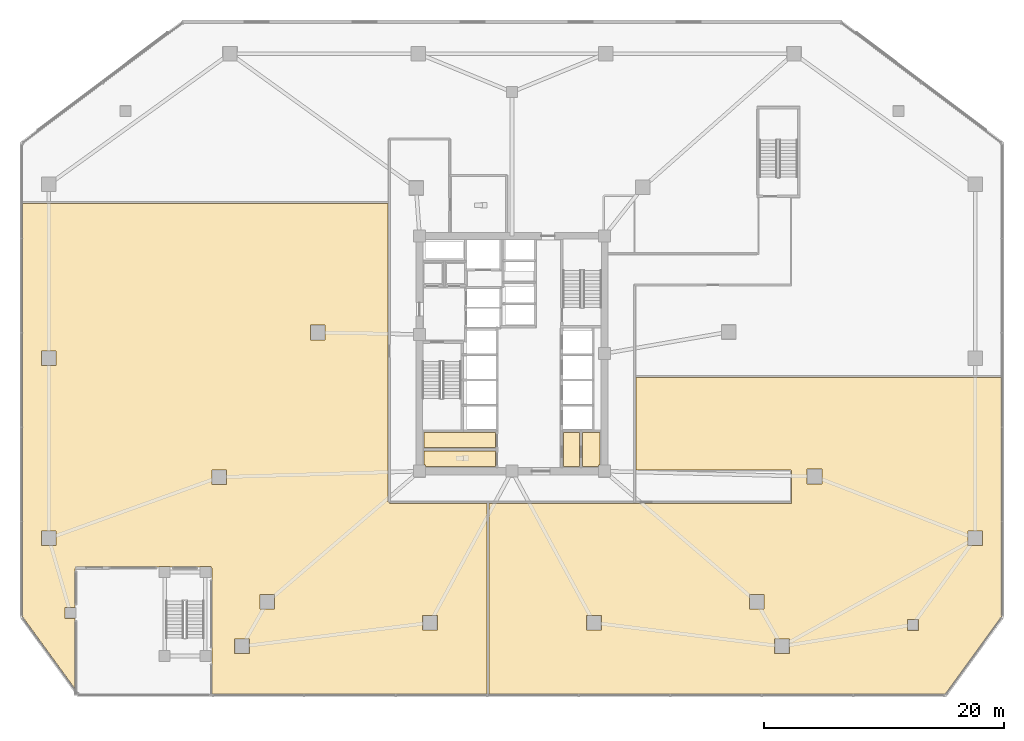
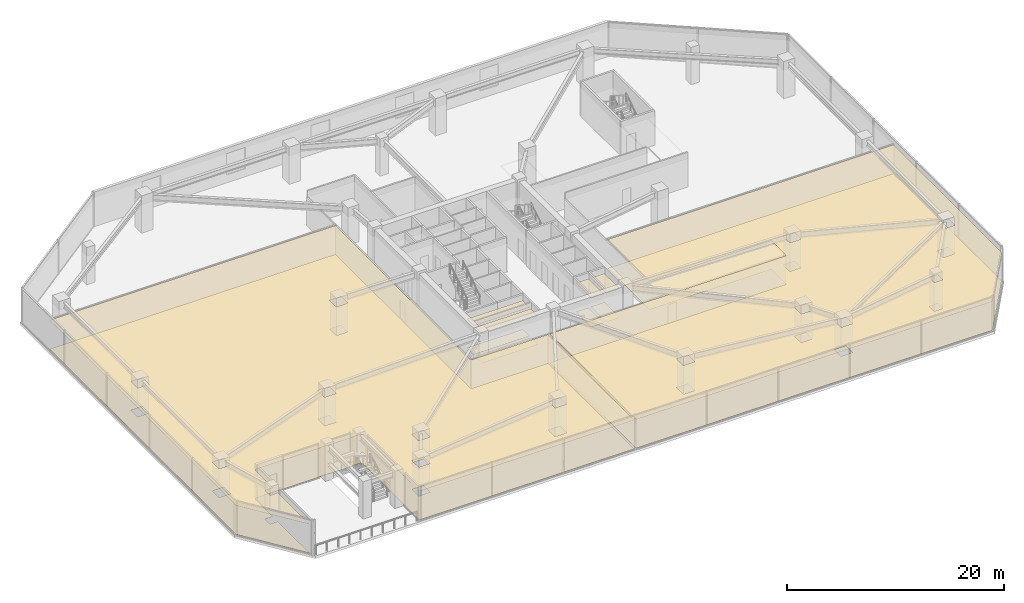
# One storey, part 15 of 21: 12 coverings.
"""IFC4 building model written with IfcOpenShell, lengths in metres."""

from ifc_helpers import new_model, si_unit, direction, frame, origin, place, context, subcontext, project, spatial, polyline, outline, extrude, material, layer, layer_set, type_object, element, save


model = new_model("IFC4")

# Units and contexts
model_context = context("Model", 3, precision=1e-05, world=origin(), true_north=direction((0.0, 1.0)))
body_context = subcontext(model_context, "Body", "Model", "MODEL_VIEW")
ifc_project = project(units=[si_unit("LENGTHUNIT", "METRE"), si_unit("AREAUNIT", "SQUARE_METRE"), si_unit("VOLUMEUNIT", "CUBIC_METRE"), si_unit("PLANEANGLEUNIT", "RADIAN"), si_unit("MASSUNIT", "GRAM", prefix="KILO")], contexts=[model_context])

# Site, building, storey
site_placement = place(None, origin())
site = spatial("IfcSite", under=ifc_project, at=site_placement, CompositionType="ELEMENT")
building_placement = place(site_placement, origin())
building = spatial("IfcBuilding", under=site, at=building_placement, Name="Savorim Split Tower", CompositionType="ELEMENT")
storey_placement = place(building_placement, frame((0.0, 0.0, 9.199951171875)))
storey = spatial("IfcBuildingStorey", under=building, at=storey_placement, Name="L02", CompositionType="ELEMENT", Elevation=9.199951171875)

# Coverings
ifc_material_1 = material(Name="Mineral Fibre Acoustic Ceiling")
ifc_layer_1 = layer(ifc_material_1, 0.02490234375)
ifc_layer_set_1 = layer_set([ifc_layer_1], Name="COV-CEIL-25")
covering_type_1 = type_object("IfcCoveringType", Name="COV-CEIL-25", PredefinedType="CEILING", material=ifc_layer_set_1)
covering_1_placement = place(storey_placement, frame((0.0, 0.0, 3.239990234375)))
element("IfcCovering", 1, at=covering_1_placement, inside=storey, type_object=covering_type_1, Name="L02 Cleaning Store Acoustic Ceiling", PredefinedType="CEILING", context=body_context, shape_type="SweptSolid", body=[
    extrude(outline(polyline([(-7.320068359375, -6.179931640625), (-7.320068359375, -7.43994140625), (-1.3798828125, -7.43994140625), (-1.3798828125, -6.179931640625), (-7.320068359375, -6.179931640625)])), origin(), (0.0, 0.0, 1.0), 0.025146484375),
])
covering_2_placement = place(storey_placement, frame((0.0, 0.0, 3.239990234375)))
element("IfcCovering", 2, at=covering_2_placement, inside=storey, type_object=covering_type_1, Name="L02 Public WC Acoustic Ceiling", PredefinedType="CEILING", context=body_context, shape_type="SweptSolid", body=[
    extrude(outline(polyline([(-1.3798828125, -7.719970703125), (-7.320068359375, -7.719970703125), (-7.320068359375, -8.889892578125), (-7.18994140625, -8.889892578125), (-7.18994140625, -9.02001953125), (-1.3798828125, -9.02001953125), (-1.3798828125, -7.719970703125)])), origin(), (0.0, 0.0, 1.0), 0.025146484375),
])
covering_3_placement = place(storey_placement, frame((0.0, 0.0, 3.239990234375)))
element("IfcCovering", 3, at=covering_3_placement, inside=storey, type_object=covering_type_1, Name="L02 Vending Pantry Acoustic Ceiling", PredefinedType="CEILING", context=body_context, shape_type="SweptSolid", body=[
    extrude(outline(polyline([(4.280029296875, -6.179931640625), (4.280029296875, -9.02001953125), (5.6201171875, -9.02001953125), (5.6201171875, -6.179931640625), (4.280029296875, -6.179931640625)])), origin(), (0.0, 0.0, 1.0), 0.025146484375),
])
covering_4_placement = place(storey_placement, frame((0.0, 0.0, 3.239990234375)))
element("IfcCovering", 4, at=covering_4_placement, inside=storey, type_object=covering_type_1, Name="L02 Recycling Chute Room Acoustic Ceiling", PredefinedType="CEILING", context=body_context, shape_type="SweptSolid", body=[
    extrude(outline(polyline([(5.8798828125, -6.179931640625), (5.8798828125, -9.02001953125), (7.18994140625, -9.02001953125), (7.18994140625, -8.889892578125), (7.320068359375, -8.889892578125), (7.320068359375, -6.179931640625), (5.8798828125, -6.179931640625)])), origin(), (0.0, 0.0, 1.0), 0.025146484375),
])
covering_5_placement = place(storey_placement, frame((0.0, 0.0, 3.239990234375)))
element("IfcCovering", 5, at=covering_5_placement, inside=storey, type_object=covering_type_1, Name="L02 Maker Workshop Acoustic Ceiling", PredefinedType="CEILING", context=body_context, shape_type="SweptSolid", body=[
    extrude(outline(polyline([(-10.31494140625, 12.905029296875), (-40.780029296875, 12.905029296875), (-40.780029296875, -21.528564453125), (-36.419921875, -27.5234375), (-36.419921875, -21.659912109375), (-37.260009765625, -21.659912109375), (-37.260009765625, -20.739990234375), (-36.419921875, -20.739990234375), (-36.419921875, -17.60009765625), (-36.4189453125, -17.578369140625), (-36.415771484375, -17.55712890625), (-36.410400390625, -17.5361328125), (-36.4033203125, -17.515869140625), (-36.39404296875, -17.496337890625), (-36.3828125, -17.477783203125), (-36.3701171875, -17.46044921875), (-36.355712890625, -17.4443359375), (-36.339599609375, -17.429931640625), (-36.322265625, -17.4169921875), (-36.3037109375, -17.406005859375), (-36.2841796875, -17.396728515625), (-36.263916015625, -17.389404296875), (-36.242919921875, -17.38427734375), (-36.2216796875, -17.381103515625), (-36.199951171875, -17.3798828125), (-29.409912109375, -17.3798828125), (-29.409912109375, -17.340087890625), (-28.489990234375, -17.340087890625), (-28.489990234375, -17.3798828125), (-26.010009765625, -17.3798828125), (-26.010009765625, -17.340087890625), (-25.090087890625, -17.340087890625), (-25.090087890625, -17.40966796875), (-25.077880859375, -17.4169921875), (-25.060302734375, -17.429931640625), (-25.04443359375, -17.4443359375), (-25.02978515625, -17.46044921875), (-25.01708984375, -17.477783203125), (-25.006103515625, -17.496337890625), (-24.99658203125, -17.515869140625), (-24.989501953125, -17.5361328125), (-24.984130859375, -17.55712890625), (-24.981201171875, -17.578369140625), (-24.97998046875, -17.60009765625), (-24.97998046875, -27.97998046875), (-2.094970703125, -27.97998046875), (-2.094970703125, -12.074951171875), (-10.219970703125, -12.074951171875), (-10.219970703125, -11.97998046875), (-10.31494140625, -11.97998046875), (-10.31494140625, 12.905029296875)]), holes=[polyline([(-37.989990234375, 0.610107421875), (-39.2099609375, 0.610107421875), (-39.2099609375, -0.610107421875), (-37.989990234375, -0.610107421875), (-37.989990234375, 0.610107421875)]), polyline([(-39.2099609375, -14.389892578125), (-39.2099609375, -15.610107421875), (-37.989990234375, -15.610107421875), (-37.989990234375, -14.389892578125), (-39.2099609375, -14.389892578125)]), polyline([(-23.110107421875, -24.610107421875), (-21.889892578125, -24.610107421875), (-21.889892578125, -23.389892578125), (-23.110107421875, -23.389892578125), (-23.110107421875, -24.610107421875)]), polyline([(-19.774169921875, -20.90185546875), (-19.774169921875, -19.681884765625), (-20.994140625, -19.681884765625), (-20.994140625, -20.90185546875), (-19.774169921875, -20.90185546875)]), polyline([(-6.2216796875, -21.421875), (-7.44189453125, -21.421875), (-7.44189453125, -22.641845703125), (-6.2216796875, -22.641845703125), (-6.2216796875, -21.421875)]), polyline([(-15.57861328125, 1.543701171875), (-15.57861328125, 2.763671875), (-16.798583984375, 2.763671875), (-16.798583984375, 1.543701171875), (-15.57861328125, 1.543701171875)]), polyline([(-23.7744140625, -9.2841796875), (-24.994384765625, -9.2841796875), (-24.994384765625, -10.50439453125), (-23.7744140625, -10.50439453125), (-23.7744140625, -9.2841796875)])]), origin(), (0.0, 0.0, 1.0), 0.025146484375),
])
covering_6_placement = place(storey_placement, frame((0.0, 0.0, 3.239990234375)))
element("IfcCovering", 6, at=covering_6_placement, inside=storey, type_object=covering_type_1, Name="L02 Co-Working Commons Acoustic Ceiling", PredefinedType="CEILING", context=body_context, shape_type="SweptSolid", body=[
    extrude(outline(polyline([(-1.905029296875, -27.97998046875), (36.087890625, -27.97998046875), (40.780029296875, -21.528564453125), (40.780029296875, -1.594970703125), (10.31494140625, -1.594970703125), (10.31494140625, -9.300048828125), (23.199951171875, -9.300048828125), (23.209716796875, -9.300537109375), (23.219482421875, -9.302001953125), (23.22900390625, -9.30419921875), (23.23828125, -9.3076171875), (23.2470703125, -9.311767578125), (23.255615234375, -9.31689453125), (23.263427734375, -9.32275390625), (23.270751953125, -9.329345703125), (23.27734375, -9.336669921875), (23.283203125, -9.344482421875), (23.2880859375, -9.352783203125), (23.29248046875, -9.36181640625), (23.295654296875, -9.37109375), (23.298095703125, -9.380615234375), (23.299560546875, -9.39013671875), (23.300048828125, -9.39990234375), (23.300048828125, -11.89990234375), (23.299560546875, -11.909912109375), (23.298095703125, -11.91943359375), (23.295654296875, -11.928955078125), (23.29248046875, -11.938232421875), (23.2880859375, -11.947021484375), (23.283203125, -11.95556640625), (23.280029296875, -11.959716796875), (23.280029296875, -12.074951171875), (-1.905029296875, -12.074951171875), (-1.905029296875, -27.97998046875)]), holes=[polyline([(37.989990234375, -14.389892578125), (37.989990234375, -15.610107421875), (39.2099609375, -15.610107421875), (39.2099609375, -14.389892578125), (37.989990234375, -14.389892578125)]), polyline([(21.889892578125, -24.610107421875), (23.110107421875, -24.610107421875), (23.110107421875, -23.389892578125), (21.889892578125, -23.389892578125), (21.889892578125, -24.610107421875)]), polyline([(6.2216796875, -21.421875), (6.2216796875, -22.641845703125), (7.44189453125, -22.641845703125), (7.44189453125, -21.421875), (6.2216796875, -21.421875)]), polyline([(19.774169921875, -20.90185546875), (20.994140625, -20.90185546875), (20.994140625, -19.681884765625), (19.774169921875, -19.681884765625), (19.774169921875, -20.90185546875)]), polyline([(25.823486328125, -10.45556640625), (25.823486328125, -9.235595703125), (24.603515625, -9.235595703125), (24.603515625, -10.45556640625), (25.823486328125, -10.45556640625)]), polyline([(32.93994140625, -21.739990234375), (32.93994140625, -22.659912109375), (33.860107421875, -22.659912109375), (33.860107421875, -21.739990234375), (32.93994140625, -21.739990234375)])]), origin(), (0.0, 0.0, 1.0), 0.025146484375),
])
ifc_material_2 = material(Name="Porcelain Stoneware Flooring", Category="masonry")
ifc_layer_2 = layer(ifc_material_2, 0.02001953125)
ifc_layer_set_2 = layer_set([ifc_layer_2], Name="COV-FLOR-20")
covering_type_2 = type_object("IfcCoveringType", Name="COV-FLOR-20", PredefinedType="FLOORING", material=ifc_layer_set_2)
covering_7_placement = place(storey_placement, origin())
element("IfcCovering", 7, at=covering_7_placement, inside=storey, type_object=covering_type_2, Name="L02 Cleaning Store Porcelain Flooring", PredefinedType="FLOORING", context=body_context, shape_type="SweptSolid", body=[
    extrude(outline(polyline([(-7.320068359375, -6.179931640625), (-7.320068359375, -7.43994140625), (-1.3798828125, -7.43994140625), (-1.3798828125, -6.179931640625), (-7.320068359375, -6.179931640625)])), origin(), (0.0, 0.0, 1.0), 0.02001953125),
])
covering_8_placement = place(storey_placement, origin())
element("IfcCovering", 8, at=covering_8_placement, inside=storey, type_object=covering_type_2, Name="L02 Public WC Porcelain Flooring", PredefinedType="FLOORING", context=body_context, shape_type="SweptSolid", body=[
    extrude(outline(polyline([(-1.3798828125, -7.719970703125), (-7.320068359375, -7.719970703125), (-7.320068359375, -8.889892578125), (-7.18994140625, -8.889892578125), (-7.18994140625, -9.02001953125), (-1.3798828125, -9.02001953125), (-1.3798828125, -7.719970703125)])), origin(), (0.0, 0.0, 1.0), 0.02001953125),
])
covering_9_placement = place(storey_placement, origin())
element("IfcCovering", 9, at=covering_9_placement, inside=storey, type_object=covering_type_2, Name="L02 Vending Pantry Porcelain Flooring", PredefinedType="FLOORING", context=body_context, shape_type="SweptSolid", body=[
    extrude(outline(polyline([(4.280029296875, -6.179931640625), (4.280029296875, -9.02001953125), (5.6201171875, -9.02001953125), (5.6201171875, -6.179931640625), (4.280029296875, -6.179931640625)])), origin(), (0.0, 0.0, 1.0), 0.02001953125),
])
covering_10_placement = place(storey_placement, origin())
element("IfcCovering", 10, at=covering_10_placement, inside=storey, type_object=covering_type_2, Name="L02 Recycling Chute Room Porcelain Flooring", PredefinedType="FLOORING", context=body_context, shape_type="SweptSolid", body=[
    extrude(outline(polyline([(5.8798828125, -6.179931640625), (5.8798828125, -9.02001953125), (7.18994140625, -9.02001953125), (7.18994140625, -8.889892578125), (7.320068359375, -8.889892578125), (7.320068359375, -6.179931640625), (5.8798828125, -6.179931640625)])), origin(), (0.0, 0.0, 1.0), 0.02001953125),
])
covering_11_placement = place(storey_placement, origin())
element("IfcCovering", 11, at=covering_11_placement, inside=storey, type_object=covering_type_2, Name="L02 Maker Workshop Porcelain Flooring", PredefinedType="FLOORING", context=body_context, shape_type="SweptSolid", body=[
    extrude(outline(polyline([(-10.31494140625, 12.905029296875), (-40.780029296875, 12.905029296875), (-40.780029296875, -21.528564453125), (-36.419921875, -27.5234375), (-36.419921875, -21.659912109375), (-37.260009765625, -21.659912109375), (-37.260009765625, -20.739990234375), (-36.419921875, -20.739990234375), (-36.419921875, -17.60009765625), (-36.4189453125, -17.578369140625), (-36.415771484375, -17.55712890625), (-36.410400390625, -17.5361328125), (-36.4033203125, -17.515869140625), (-36.39404296875, -17.496337890625), (-36.3828125, -17.477783203125), (-36.3701171875, -17.46044921875), (-36.355712890625, -17.4443359375), (-36.339599609375, -17.429931640625), (-36.322265625, -17.4169921875), (-36.3037109375, -17.406005859375), (-36.2841796875, -17.396728515625), (-36.263916015625, -17.389404296875), (-36.242919921875, -17.38427734375), (-36.2216796875, -17.381103515625), (-36.199951171875, -17.3798828125), (-29.409912109375, -17.3798828125), (-29.409912109375, -17.340087890625), (-28.489990234375, -17.340087890625), (-28.489990234375, -17.3798828125), (-26.010009765625, -17.3798828125), (-26.010009765625, -17.340087890625), (-25.090087890625, -17.340087890625), (-25.090087890625, -17.40966796875), (-25.077880859375, -17.4169921875), (-25.060302734375, -17.429931640625), (-25.04443359375, -17.4443359375), (-25.02978515625, -17.46044921875), (-25.01708984375, -17.477783203125), (-25.006103515625, -17.496337890625), (-24.99658203125, -17.515869140625), (-24.989501953125, -17.5361328125), (-24.984130859375, -17.55712890625), (-24.981201171875, -17.578369140625), (-24.97998046875, -17.60009765625), (-24.97998046875, -27.97998046875), (-2.094970703125, -27.97998046875), (-2.094970703125, -12.074951171875), (-10.219970703125, -12.074951171875), (-10.219970703125, -11.97998046875), (-10.31494140625, -11.97998046875), (-10.31494140625, 12.905029296875)]), holes=[polyline([(-37.989990234375, 0.610107421875), (-39.2099609375, 0.610107421875), (-39.2099609375, -0.610107421875), (-37.989990234375, -0.610107421875), (-37.989990234375, 0.610107421875)]), polyline([(-39.2099609375, -14.389892578125), (-39.2099609375, -15.610107421875), (-37.989990234375, -15.610107421875), (-37.989990234375, -14.389892578125), (-39.2099609375, -14.389892578125)]), polyline([(-23.110107421875, -24.610107421875), (-21.889892578125, -24.610107421875), (-21.889892578125, -23.389892578125), (-23.110107421875, -23.389892578125), (-23.110107421875, -24.610107421875)]), polyline([(-19.774169921875, -20.90185546875), (-19.774169921875, -19.681884765625), (-20.994140625, -19.681884765625), (-20.994140625, -20.90185546875), (-19.774169921875, -20.90185546875)]), polyline([(-6.2216796875, -21.421875), (-7.44189453125, -21.421875), (-7.44189453125, -22.641845703125), (-6.2216796875, -22.641845703125), (-6.2216796875, -21.421875)]), polyline([(-15.57861328125, 1.543701171875), (-15.57861328125, 2.763671875), (-16.798583984375, 2.763671875), (-16.798583984375, 1.543701171875), (-15.57861328125, 1.543701171875)]), polyline([(-23.7744140625, -9.2841796875), (-24.994384765625, -9.2841796875), (-24.994384765625, -10.50439453125), (-23.7744140625, -10.50439453125), (-23.7744140625, -9.2841796875)])]), origin(), (0.0, 0.0, 1.0), 0.02001953125),
])
covering_12_placement = place(storey_placement, origin())
element("IfcCovering", 12, at=covering_12_placement, inside=storey, type_object=covering_type_2, Name="L02 Co-Working Commons Porcelain Flooring", PredefinedType="FLOORING", context=body_context, shape_type="SweptSolid", body=[
    extrude(outline(polyline([(-1.905029296875, -27.97998046875), (36.087890625, -27.97998046875), (40.780029296875, -21.528564453125), (40.780029296875, -1.594970703125), (10.31494140625, -1.594970703125), (10.31494140625, -9.300048828125), (23.199951171875, -9.300048828125), (23.209716796875, -9.300537109375), (23.219482421875, -9.302001953125), (23.22900390625, -9.30419921875), (23.23828125, -9.3076171875), (23.2470703125, -9.311767578125), (23.255615234375, -9.31689453125), (23.263427734375, -9.32275390625), (23.270751953125, -9.329345703125), (23.27734375, -9.336669921875), (23.283203125, -9.344482421875), (23.2880859375, -9.352783203125), (23.29248046875, -9.36181640625), (23.295654296875, -9.37109375), (23.298095703125, -9.380615234375), (23.299560546875, -9.39013671875), (23.300048828125, -9.39990234375), (23.300048828125, -11.89990234375), (23.299560546875, -11.909912109375), (23.298095703125, -11.91943359375), (23.295654296875, -11.928955078125), (23.29248046875, -11.938232421875), (23.2880859375, -11.947021484375), (23.283203125, -11.95556640625), (23.280029296875, -11.959716796875), (23.280029296875, -12.074951171875), (-1.905029296875, -12.074951171875), (-1.905029296875, -27.97998046875)]), holes=[polyline([(37.989990234375, -14.389892578125), (37.989990234375, -15.610107421875), (39.2099609375, -15.610107421875), (39.2099609375, -14.389892578125), (37.989990234375, -14.389892578125)]), polyline([(21.889892578125, -24.610107421875), (23.110107421875, -24.610107421875), (23.110107421875, -23.389892578125), (21.889892578125, -23.389892578125), (21.889892578125, -24.610107421875)]), polyline([(6.2216796875, -21.421875), (6.2216796875, -22.641845703125), (7.44189453125, -22.641845703125), (7.44189453125, -21.421875), (6.2216796875, -21.421875)]), polyline([(19.774169921875, -20.90185546875), (20.994140625, -20.90185546875), (20.994140625, -19.681884765625), (19.774169921875, -19.681884765625), (19.774169921875, -20.90185546875)]), polyline([(25.823486328125, -10.45556640625), (25.823486328125, -9.235595703125), (24.603515625, -9.235595703125), (24.603515625, -10.45556640625), (25.823486328125, -10.45556640625)]), polyline([(32.93994140625, -21.739990234375), (32.93994140625, -22.659912109375), (33.860107421875, -22.659912109375), (33.860107421875, -21.739990234375), (32.93994140625, -21.739990234375)])]), origin(), (0.0, 0.0, 1.0), 0.02001953125),
])

save(model, "model.ifc")
